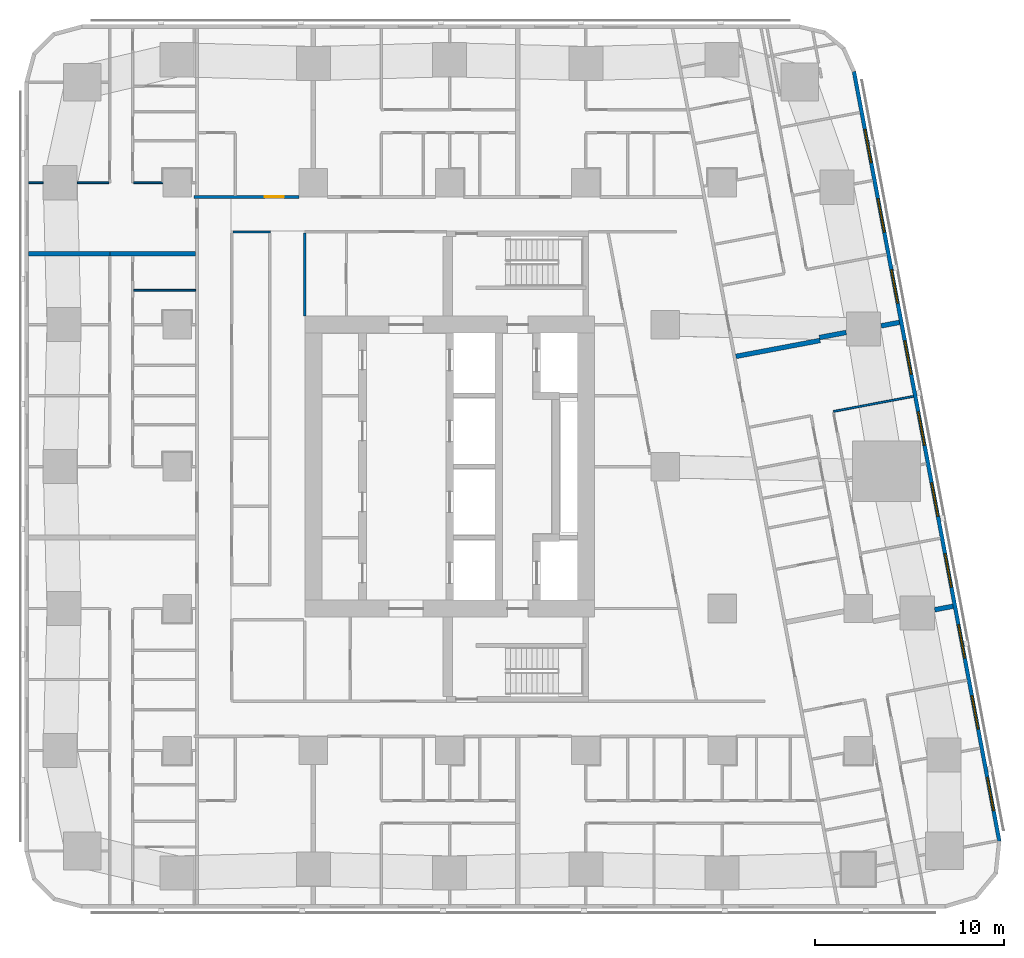
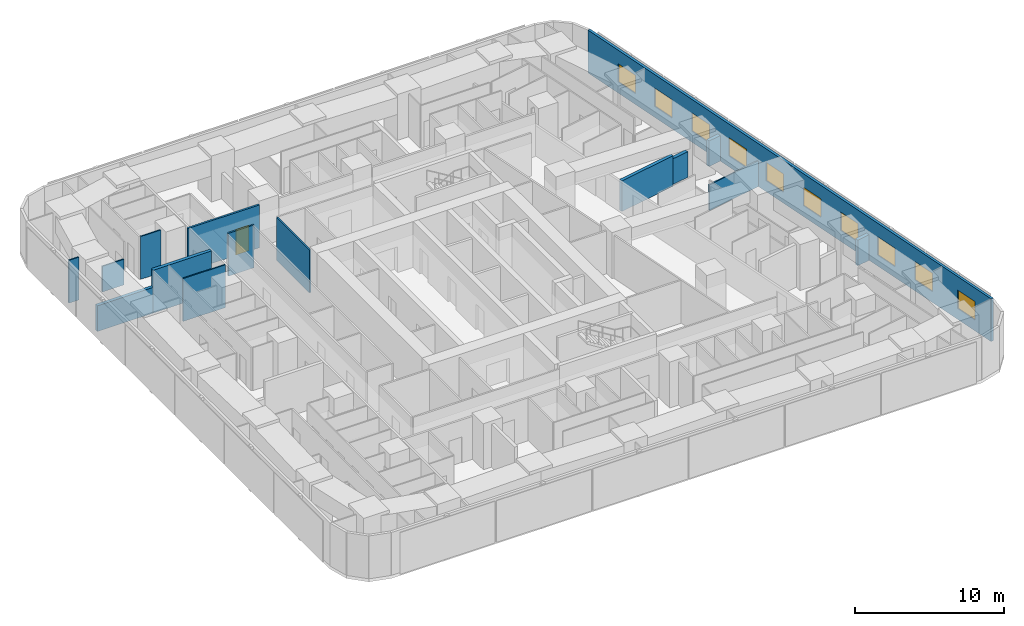
# One storey, part 8 of 15: 15 walls, 10 windows, 1 door, 11 openings.
"""IFC4 building model written with IfcOpenShell, lengths in metres."""

from ifc_helpers import new_model, si_unit, direction, frame, frame_2d, origin, place, context, subcontext, project, spatial, rectangle, extrude, material, layer, layer_set, type_object, element, fill, save


model = new_model("IFC4")

# Units and contexts
model_context = context("Model", 3, precision=1e-05, world=origin(), true_north=direction((0.0, 1.0)))
body_context = subcontext(model_context, "Body", "Model", "MODEL_VIEW")
ifc_project = project(units=[si_unit("LENGTHUNIT", "METRE"), si_unit("AREAUNIT", "SQUARE_METRE"), si_unit("VOLUMEUNIT", "CUBIC_METRE"), si_unit("PLANEANGLEUNIT", "RADIAN"), si_unit("MASSUNIT", "GRAM", prefix="KILO")], contexts=[model_context])

# Site, building, storey
site_placement = place(None, origin())
site = spatial("IfcSite", under=ifc_project, at=site_placement, CompositionType="ELEMENT")
building_placement = place(site_placement, origin())
building = spatial("IfcBuilding", under=site, at=building_placement, Name="Sheger Commons Tower", CompositionType="ELEMENT")
storey_placement = place(building_placement, frame((0.0, 0.0, 147.050048828125)))
storey = spatial("IfcBuildingStorey", under=building, at=storey_placement, Name="L37", CompositionType="ELEMENT", Elevation=147.050048828125)

# Wall, opening, door
ifc_material_1 = material(Name="Hollow concrete block masonry, skimmed both sides", Category="masonry")
ifc_layer_1 = layer(ifc_material_1, 0.14990234375)
ifc_layer_set_1 = layer_set([ifc_layer_1], Name="CORRIDOR WALL 150")
wall_type_1 = type_object("IfcWallType", Name="CORRIDOR WALL 150", PredefinedType="SOLIDWALL", material=ifc_layer_set_1)
wall_1_placement = place(storey_placement, frame((8.10009765625, 36.75, 0.0), z_axis=(0.0, 0.0, 1.0), x_axis=(1.0, 0.0, 0.0)))
wall_1 = element("IfcWall", 1, at=wall_1_placement, inside=storey, type_object=wall_type_1, Name="Corridor wall L37", PredefinedType="SOLIDWALL", context=body_context, shape_type="SweptSolid", body=[
    extrude(rectangle(XDim=5.548828125, YDim=0.14990234375, at=frame_2d((2.7744140625, 0.0))), origin(), (0.0, 0.0, 1.0), 3.5),
])
opening_1_placement = place(wall_1_placement, frame((3.739013671875, 0.0, 0.0)))
opening_1 = element("IfcOpeningElement", 2, at=opening_1_placement, cuts=wall_1, Name="Opening D1", PredefinedType="OPENING", context=body_context, shape_type="SweptSolid", body=[
    extrude(rectangle(XDim=1.0, YDim=2.10009765625, at=frame_2d((0.5, 1.050048828125))), frame((0.0, 0.0849609375, 0.0), z_axis=(0.0, -1.0, 0.0), x_axis=(1.0, 0.0, 0.0)), (0.0, 0.0, 1.0), 0.169921875),
])
ifc_material_2 = material(Name="Steel door set, fire rated", Category="steel")
door_type = type_object("IfcDoorType", Name="FLAT ENTRANCE DOOR 1000x2100", OperationType="NOTDEFINED", PredefinedType="DOOR", material=ifc_material_2)
door_placement = place(opening_1_placement, origin())
door = element("IfcDoor", 3, at=door_placement, inside=storey, type_object=door_type, Name="Flat entrance door", OperationType="SINGLE_SWING_RIGHT", OverallHeight=2.10009765625, OverallWidth=1.0, PredefinedType="DOOR", context=body_context, shape_type="SweptSolid", body=[
    extrude(rectangle(XDim=1.0, YDim=2.10009765625, at=frame_2d((0.5, 1.050048828125))), frame((0.0, 0.02490234375, 0.0), z_axis=(0.0, -1.0, 0.0), x_axis=(1.0, 0.0, 0.0)), (0.0, 0.0, 1.0), 0.050048828125),
])
fill(opening_1, door)

# Walls
ifc_material_3 = material(Name="Dense concrete block masonry, plastered both sides (separating wall between flats)", Category="masonry")
ifc_layer_2 = layer(ifc_material_3, 0.25)
ifc_layer_set_2 = layer_set([ifc_layer_2], Name="DEMISING WALL 250")
wall_type_2 = type_object("IfcWallType", Name="DEMISING WALL 250", PredefinedType="SOLIDWALL", material=ifc_layer_set_2)
wall_2_placement = place(storey_placement, frame((-0.64990234375, 33.75, 0.0), z_axis=(0.0, 0.0, 1.0), x_axis=(1.0, 0.0, 0.0)))
element("IfcWall", 4, at=wall_2_placement, inside=storey, type_object=wall_type_2, Name="Demising wall L37", PredefinedType="SOLIDWALL", context=body_context, shape_type="SweptSolid", body=[
    extrude(rectangle(XDim=4.2998046875, YDim=0.25, at=frame_2d((2.14990234375, 0.0))), origin(), (0.0, 0.0, 1.0), 2.099853515625),
])
wall_3_placement = place(storey_placement, frame((3.64990234375, 33.75, 0.0), z_axis=(0.0, 0.0, 1.0), x_axis=(1.0, 0.0, 0.0)))
element("IfcWall", 5, at=wall_3_placement, inside=storey, type_object=wall_type_2, Name="Demising wall L37", PredefinedType="SOLIDWALL", context=body_context, shape_type="SweptSolid", body=[
    extrude(rectangle(XDim=4.525146484375, YDim=0.25, at=frame_2d((2.2626953125, 0.0))), origin(), (0.0, 0.0, 1.0), 3.5),
])
wall_4_placement = place(storey_placement, frame((45.3720703125, 30.12109375, 0.0), z_axis=(0.0, 0.0, 1.0), x_axis=(-0.982576361834, -0.185859337043, 0.0)))
element("IfcWall", 6, at=wall_4_placement, inside=storey, type_object=wall_type_2, Name="Demising wall L37", PredefinedType="SOLIDWALL", context=body_context, shape_type="SweptSolid", body=[
    extrude(rectangle(XDim=0.985107421875, YDim=0.25, at=frame_2d((0.49267578125, 0.0))), origin(), (0.0, 0.0, 1.0), 2.099853515625),
])
wall_5_placement = place(storey_placement, frame((42.555908203125, 29.589111328125, 0.0), z_axis=(0.0, 0.0, 1.0), x_axis=(-0.982502104561, -0.18625148196, 0.0)))
element("IfcWall", 7, at=wall_5_placement, inside=storey, type_object=wall_type_2, Name="Demising wall L37", PredefinedType="SOLIDWALL", context=body_context, shape_type="SweptSolid", body=[
    extrude(rectangle(XDim=1.43408203125, YDim=0.25, at=frame_2d((0.717041015625, 0.0))), origin(), (0.0, 0.0, 1.0), 2.099853515625),
])
wall_6_placement = place(storey_placement, frame((41.177001953125, 29.1640625, 0.0), z_axis=(0.0, 0.0, 1.0), x_axis=(-0.982612837616, -0.185666398014, 0.0)))
element("IfcWall", 8, at=wall_6_placement, inside=storey, type_object=wall_type_2, Name="Demising wall L37", PredefinedType="SOLIDWALL", context=body_context, shape_type="SweptSolid", body=[
    extrude(rectangle(XDim=4.524658203125, YDim=0.25, at=frame_2d((2.26220703125, 0.0))), origin(), (0.0, 0.0, 1.0), 2.5),
])
wall_7_placement = place(storey_placement, frame((48.2060546875, 15.1201171875, 0.0), z_axis=(0.0, 0.0, 1.0), x_axis=(-0.982576361834, -0.185859337043, 0.0)))
element("IfcWall", 9, at=wall_7_placement, inside=storey, type_object=wall_type_2, Name="Demising wall L37", PredefinedType="SOLIDWALL", context=body_context, shape_type="SweptSolid", body=[
    extrude(rectangle(XDim=0.985107421875, YDim=0.25, at=frame_2d((0.49267578125, 0.0))), origin(), (0.0, 0.0, 1.0), 2.099853515625),
])

# Wall, openings, windows
ifc_material_4 = material(Name="Rendered concrete block masonry, dark grey", Category="masonry")
ifc_layer_3 = layer(ifc_material_4, 0.199951171875)
ifc_layer_set_3 = layer_set([ifc_layer_3], Name="FACADE WALL 200")
wall_type_3 = type_object("IfcWallType", Name="FACADE WALL 200", PredefinedType="SOLIDWALL", material=ifc_layer_set_3)
wall_8_placement = place(storey_placement, frame((50.653076171875, 2.702880859375, 0.0), z_axis=(0.0, 0.0, 1.0), x_axis=(-0.185612026696, 0.982623109613, 0.0)))
wall_8 = element("IfcWall", 10, at=wall_8_placement, inside=storey, type_object=wall_type_3, Name="Facade wall L37", PredefinedType="SOLIDWALL", context=body_context, shape_type="SweptSolid", body=[
    extrude(rectangle(XDim=41.393310546875, YDim=0.199951171875, at=frame_2d((20.69677734375, 0.0))), origin(), (0.0, 0.0, 1.0), 3.5),
])
opening_2_placement = place(wall_8_placement, frame((1.633056640625, 0.0, 0.89990234375)))
opening_2 = element("IfcOpeningElement", 11, at=opening_2_placement, cuts=wall_8, Name="Opening W2", PredefinedType="OPENING", context=body_context, shape_type="SweptSolid", body=[
    extrude(rectangle(XDim=1.800048828125, YDim=1.5, at=frame_2d((0.89990234375, 0.75))), frame((0.0, 0.10986328125, 0.0), z_axis=(0.0, -1.0, 0.0), x_axis=(1.0, 0.0, 0.0)), (0.0, 0.0, 1.0), 0.219970703125),
])
opening_3_placement = place(wall_8_placement, frame((6.031982421875, 0.0, 0.89990234375)))
opening_3 = element("IfcOpeningElement", 12, at=opening_3_placement, cuts=wall_8, Name="Opening W2", PredefinedType="OPENING", context=body_context, shape_type="SweptSolid", body=[
    extrude(rectangle(XDim=1.800048828125, YDim=1.5, at=frame_2d((0.89990234375, 0.75))), frame((0.0, 0.10986328125, 0.0), z_axis=(0.0, -1.0, 0.0), x_axis=(1.0, 0.0, 0.0)), (0.0, 0.0, 1.0), 0.219970703125),
])
opening_4_placement = place(wall_8_placement, frame((9.847900390625, 0.0, 0.89990234375)))
opening_4 = element("IfcOpeningElement", 13, at=opening_4_placement, cuts=wall_8, Name="Opening W2", PredefinedType="OPENING", context=body_context, shape_type="SweptSolid", body=[
    extrude(rectangle(XDim=1.800048828125, YDim=1.5, at=frame_2d((0.89990234375, 0.75))), frame((0.0, 0.10986328125, 0.0), z_axis=(0.0, -1.0, 0.0), x_axis=(1.0, 0.0, 0.0)), (0.0, 0.0, 1.0), 0.219970703125),
])
opening_5_placement = place(wall_8_placement, frame((13.6640625, 0.0, 0.89990234375)))
opening_5 = element("IfcOpeningElement", 14, at=opening_5_placement, cuts=wall_8, Name="Opening W2", PredefinedType="OPENING", context=body_context, shape_type="SweptSolid", body=[
    extrude(rectangle(XDim=1.800048828125, YDim=1.5, at=frame_2d((0.89990234375, 0.75))), frame((0.0, 0.10986328125, 0.0), z_axis=(0.0, -1.0, 0.0), x_axis=(1.0, 0.0, 0.0)), (0.0, 0.0, 1.0), 0.219970703125),
])
opening_6_placement = place(wall_8_placement, frame((17.48095703125, 0.0, 0.89990234375)))
opening_6 = element("IfcOpeningElement", 15, at=opening_6_placement, cuts=wall_8, Name="Opening W2", PredefinedType="OPENING", context=body_context, shape_type="SweptSolid", body=[
    extrude(rectangle(XDim=1.800048828125, YDim=1.5, at=frame_2d((0.89990234375, 0.75))), frame((0.0, 0.10986328125, 0.0), z_axis=(0.0, -1.0, 0.0), x_axis=(1.0, 0.0, 0.0)), (0.0, 0.0, 1.0), 0.219970703125),
])
opening_7_placement = place(wall_8_placement, frame((21.297119140625, 0.0, 0.89990234375)))
opening_7 = element("IfcOpeningElement", 16, at=opening_7_placement, cuts=wall_8, Name="Opening W2", PredefinedType="OPENING", context=body_context, shape_type="SweptSolid", body=[
    extrude(rectangle(XDim=1.800048828125, YDim=1.5, at=frame_2d((0.89990234375, 0.75))), frame((0.0, 0.10986328125, 0.0), z_axis=(0.0, -1.0, 0.0), x_axis=(1.0, 0.0, 0.0)), (0.0, 0.0, 1.0), 0.219970703125),
])
opening_8_placement = place(wall_8_placement, frame((25.113037109375, 0.0, 0.89990234375)))
opening_8 = element("IfcOpeningElement", 17, at=opening_8_placement, cuts=wall_8, Name="Opening W2", PredefinedType="OPENING", context=body_context, shape_type="SweptSolid", body=[
    extrude(rectangle(XDim=1.800048828125, YDim=1.5, at=frame_2d((0.89990234375, 0.75))), frame((0.0, 0.10986328125, 0.0), z_axis=(0.0, -1.0, 0.0), x_axis=(1.0, 0.0, 0.0)), (0.0, 0.0, 1.0), 0.219970703125),
])
opening_9_placement = place(wall_8_placement, frame((28.929931640625, 0.0, 0.89990234375)))
opening_9 = element("IfcOpeningElement", 18, at=opening_9_placement, cuts=wall_8, Name="Opening W2", PredefinedType="OPENING", context=body_context, shape_type="SweptSolid", body=[
    extrude(rectangle(XDim=1.800048828125, YDim=1.5, at=frame_2d((0.89990234375, 0.75))), frame((0.0, 0.10986328125, 0.0), z_axis=(0.0, -1.0, 0.0), x_axis=(1.0, 0.0, 0.0)), (0.0, 0.0, 1.0), 0.219970703125),
])
opening_10_placement = place(wall_8_placement, frame((32.74609375, 0.0, 0.89990234375)))
opening_10 = element("IfcOpeningElement", 19, at=opening_10_placement, cuts=wall_8, Name="Opening W2", PredefinedType="OPENING", context=body_context, shape_type="SweptSolid", body=[
    extrude(rectangle(XDim=1.800048828125, YDim=1.5, at=frame_2d((0.89990234375, 0.75))), frame((0.0, 0.10986328125, 0.0), z_axis=(0.0, -1.0, 0.0), x_axis=(1.0, 0.0, 0.0)), (0.0, 0.0, 1.0), 0.219970703125),
])
opening_11_placement = place(wall_8_placement, frame((36.48095703125, 0.0, 0.89990234375)))
opening_11 = element("IfcOpeningElement", 20, at=opening_11_placement, cuts=wall_8, Name="Opening W2", PredefinedType="OPENING", context=body_context, shape_type="SweptSolid", body=[
    extrude(rectangle(XDim=1.800048828125, YDim=1.5, at=frame_2d((0.89990234375, 0.75))), frame((0.0, 0.10986328125, 0.0), z_axis=(0.0, -1.0, 0.0), x_axis=(1.0, 0.0, 0.0)), (0.0, 0.0, 1.0), 0.219970703125),
])
ifc_material_5 = material(Name="Black aluminium frame, dark tinted double glazing", Category="aluminium")
window_type = type_object("IfcWindowType", Name="WINDOW W2 1800x1500", PartitioningType="SINGLE_PANEL", PredefinedType="WINDOW", material=ifc_material_5)
window_1_placement = place(opening_2_placement, origin())
window_1 = element("IfcWindow", 21, at=window_1_placement, inside=storey, type_object=window_type, Name="Window W2 1800X1500", OverallHeight=1.5, OverallWidth=1.800048828125, PartitioningType="SINGLE_PANEL", PredefinedType="WINDOW", context=body_context, shape_type="SweptSolid", body=[
    extrude(rectangle(XDim=1.800048828125, YDim=1.5, at=frame_2d((0.89990234375, 0.75))), frame((0.0, 0.030029296875, 0.0), z_axis=(0.0, -1.0, 0.0), x_axis=(1.0, 0.0, 0.0)), (0.0, 0.0, 1.0), 0.06005859375),
])
fill(opening_2, window_1)
window_2_placement = place(opening_3_placement, origin())
window_2 = element("IfcWindow", 22, at=window_2_placement, inside=storey, type_object=window_type, Name="Window W2 1800X1500", OverallHeight=1.5, OverallWidth=1.800048828125, PartitioningType="SINGLE_PANEL", PredefinedType="WINDOW", context=body_context, shape_type="SweptSolid", body=[
    extrude(rectangle(XDim=1.800048828125, YDim=1.5, at=frame_2d((0.89990234375, 0.75))), frame((0.0, 0.030029296875, 0.0), z_axis=(0.0, -1.0, 0.0), x_axis=(1.0, 0.0, 0.0)), (0.0, 0.0, 1.0), 0.06005859375),
])
fill(opening_3, window_2)
window_3_placement = place(opening_4_placement, origin())
window_3 = element("IfcWindow", 23, at=window_3_placement, inside=storey, type_object=window_type, Name="Window W2 1800X1500", OverallHeight=1.5, OverallWidth=1.800048828125, PartitioningType="SINGLE_PANEL", PredefinedType="WINDOW", context=body_context, shape_type="SweptSolid", body=[
    extrude(rectangle(XDim=1.800048828125, YDim=1.5, at=frame_2d((0.89990234375, 0.75))), frame((0.0, 0.030029296875, 0.0), z_axis=(0.0, -1.0, 0.0), x_axis=(1.0, 0.0, 0.0)), (0.0, 0.0, 1.0), 0.06005859375),
])
fill(opening_4, window_3)
window_4_placement = place(opening_5_placement, origin())
window_4 = element("IfcWindow", 24, at=window_4_placement, inside=storey, type_object=window_type, Name="Window W2 1800X1500", OverallHeight=1.5, OverallWidth=1.800048828125, PartitioningType="SINGLE_PANEL", PredefinedType="WINDOW", context=body_context, shape_type="SweptSolid", body=[
    extrude(rectangle(XDim=1.800048828125, YDim=1.5, at=frame_2d((0.89990234375, 0.75))), frame((0.0, 0.030029296875, 0.0), z_axis=(0.0, -1.0, 0.0), x_axis=(1.0, 0.0, 0.0)), (0.0, 0.0, 1.0), 0.06005859375),
])
fill(opening_5, window_4)
window_5_placement = place(opening_6_placement, origin())
window_5 = element("IfcWindow", 25, at=window_5_placement, inside=storey, type_object=window_type, Name="Window W2 1800X1500", OverallHeight=1.5, OverallWidth=1.800048828125, PartitioningType="SINGLE_PANEL", PredefinedType="WINDOW", context=body_context, shape_type="SweptSolid", body=[
    extrude(rectangle(XDim=1.800048828125, YDim=1.5, at=frame_2d((0.89990234375, 0.75))), frame((0.0, 0.030029296875, 0.0), z_axis=(0.0, -1.0, 0.0), x_axis=(1.0, 0.0, 0.0)), (0.0, 0.0, 1.0), 0.06005859375),
])
fill(opening_6, window_5)
window_6_placement = place(opening_7_placement, origin())
window_6 = element("IfcWindow", 26, at=window_6_placement, inside=storey, type_object=window_type, Name="Window W2 1800X1500", OverallHeight=1.5, OverallWidth=1.800048828125, PartitioningType="SINGLE_PANEL", PredefinedType="WINDOW", context=body_context, shape_type="SweptSolid", body=[
    extrude(rectangle(XDim=1.800048828125, YDim=1.5, at=frame_2d((0.89990234375, 0.75))), frame((0.0, 0.030029296875, 0.0), z_axis=(0.0, -1.0, 0.0), x_axis=(1.0, 0.0, 0.0)), (0.0, 0.0, 1.0), 0.06005859375),
])
fill(opening_7, window_6)
window_7_placement = place(opening_8_placement, origin())
window_7 = element("IfcWindow", 27, at=window_7_placement, inside=storey, type_object=window_type, Name="Window W2 1800X1500", OverallHeight=1.5, OverallWidth=1.800048828125, PartitioningType="SINGLE_PANEL", PredefinedType="WINDOW", context=body_context, shape_type="SweptSolid", body=[
    extrude(rectangle(XDim=1.800048828125, YDim=1.5, at=frame_2d((0.89990234375, 0.75))), frame((0.0, 0.030029296875, 0.0), z_axis=(0.0, -1.0, 0.0), x_axis=(1.0, 0.0, 0.0)), (0.0, 0.0, 1.0), 0.06005859375),
])
fill(opening_8, window_7)
window_8_placement = place(opening_9_placement, origin())
window_8 = element("IfcWindow", 28, at=window_8_placement, inside=storey, type_object=window_type, Name="Window W2 1800X1500", OverallHeight=1.5, OverallWidth=1.800048828125, PartitioningType="SINGLE_PANEL", PredefinedType="WINDOW", context=body_context, shape_type="SweptSolid", body=[
    extrude(rectangle(XDim=1.800048828125, YDim=1.5, at=frame_2d((0.89990234375, 0.75))), frame((0.0, 0.030029296875, 0.0), z_axis=(0.0, -1.0, 0.0), x_axis=(1.0, 0.0, 0.0)), (0.0, 0.0, 1.0), 0.06005859375),
])
fill(opening_9, window_8)
window_9_placement = place(opening_10_placement, origin())
window_9 = element("IfcWindow", 29, at=window_9_placement, inside=storey, type_object=window_type, Name="Window W2 1800X1500", OverallHeight=1.5, OverallWidth=1.800048828125, PartitioningType="SINGLE_PANEL", PredefinedType="WINDOW", context=body_context, shape_type="SweptSolid", body=[
    extrude(rectangle(XDim=1.800048828125, YDim=1.5, at=frame_2d((0.89990234375, 0.75))), frame((0.0, 0.030029296875, 0.0), z_axis=(0.0, -1.0, 0.0), x_axis=(1.0, 0.0, 0.0)), (0.0, 0.0, 1.0), 0.06005859375),
])
fill(opening_10, window_9)
window_10_placement = place(opening_11_placement, origin())
window_10 = element("IfcWindow", 30, at=window_10_placement, inside=storey, type_object=window_type, Name="Window W2 1800X1500", OverallHeight=1.5, OverallWidth=1.800048828125, PartitioningType="SINGLE_PANEL", PredefinedType="WINDOW", context=body_context, shape_type="SweptSolid", body=[
    extrude(rectangle(XDim=1.800048828125, YDim=1.5, at=frame_2d((0.89990234375, 0.75))), frame((0.0, 0.030029296875, 0.0), z_axis=(0.0, -1.0, 0.0), x_axis=(1.0, 0.0, 0.0)), (0.0, 0.0, 1.0), 0.06005859375),
])
fill(opening_11, window_10)

# Walls
ifc_material_6 = material(Name="Gypsum board on steel studs", Category="steel")
ifc_layer_4 = layer(ifc_material_6, 0.10009765625)
ifc_layer_set_4 = layer_set([ifc_layer_4], Name="PARTITION 100")
wall_type_4 = type_object("IfcWallType", Name="PARTITION 100", PredefinedType="PARTITIONING", material=ifc_layer_set_4)
wall_9_placement = place(storey_placement, frame((4.89990234375, 31.820068359375, 0.0), z_axis=(0.0, 0.0, 1.0), x_axis=(1.0, 0.0, 0.0)))
element("IfcWall", 31, at=wall_9_placement, inside=storey, type_object=wall_type_4, Name="Partition L37", PredefinedType="PARTITIONING", context=body_context, shape_type="SweptSolid", body=[
    extrude(rectangle(XDim=3.275146484375, YDim=0.10009765625, at=frame_2d((1.6376953125, 0.0))), origin(), (0.0, 0.0, 1.0), 3.5),
])
wall_10_placement = place(storey_placement, frame((-0.64990234375, 37.5, 0.0), z_axis=(0.0, 0.0, 1.0), x_axis=(1.0, 0.0, 0.0)))
element("IfcWall", 32, at=wall_10_placement, inside=storey, type_object=wall_type_4, Name="Partition L37", PredefinedType="PARTITIONING", context=body_context, shape_type="SweptSolid", body=[
    extrude(rectangle(XDim=0.77392578125, YDim=0.10009765625, at=frame_2d((0.386962890625, 0.0))), origin(), (0.0, 0.0, 1.0), 3.5),
])
wall_11_placement = place(storey_placement, frame((1.926025390625, 37.5, 0.0), z_axis=(0.0, 0.0, 1.0), x_axis=(1.0, 0.0, 0.0)))
element("IfcWall", 33, at=wall_11_placement, inside=storey, type_object=wall_type_4, Name="Partition L37", PredefinedType="PARTITIONING", context=body_context, shape_type="SweptSolid", body=[
    extrude(rectangle(XDim=1.674072265625, YDim=0.10009765625, at=frame_2d((0.8369140625, 0.0))), origin(), (0.0, 0.0, 1.0), 2.099853515625),
])
wall_12_placement = place(storey_placement, frame((4.89990234375, 37.5, 0.0), z_axis=(0.0, 0.0, 1.0), x_axis=(1.0, 0.0, 0.0)))
element("IfcWall", 34, at=wall_12_placement, inside=storey, type_object=wall_type_4, Name="Partition L37", PredefinedType="PARTITIONING", context=body_context, shape_type="SweptSolid", body=[
    extrude(rectangle(XDim=1.549072265625, YDim=0.10009765625, at=frame_2d((0.7744140625, 0.0))), origin(), (0.0, 0.0, 1.0), 3.5),
])
wall_13_placement = place(storey_placement, frame((46.110107421875, 26.212890625, 0.0), z_axis=(0.0, 0.0, 1.0), x_axis=(-0.982633535512, -0.185556823879, 0.0)))
element("IfcWall", 35, at=wall_13_placement, inside=storey, type_object=wall_type_4, Name="Partition L37", PredefinedType="PARTITIONING", context=body_context, shape_type="SweptSolid", body=[
    extrude(rectangle(XDim=4.2998046875, YDim=0.10009765625, at=frame_2d((2.14990234375, 0.0))), origin(), (0.0, 0.0, 1.0), 2.099853515625),
])
ifc_material_7 = material(Name="Gypsum board on steel studs, two layers each side, fire rated", Category="steel")
ifc_layer_5 = layer(ifc_material_7, 0.125)
ifc_layer_set_5 = layer_set([ifc_layer_5], Name="SERVICE WALL 125")
wall_type_5 = type_object("IfcWallType", Name="SERVICE WALL 125", PredefinedType="PARTITIONING", material=ifc_layer_set_5)
wall_14_placement = place(storey_placement, frame((13.949951171875, 30.449951171875, 0.0), z_axis=(0.0, 0.0, 1.0), x_axis=(0.0, 1.0, 0.0)))
element("IfcWall", 36, at=wall_14_placement, inside=storey, type_object=wall_type_5, Name="Service room wall L37", PredefinedType="PARTITIONING", context=body_context, shape_type="SweptSolid", body=[
    extrude(rectangle(XDim=4.386962890625, YDim=0.125, at=frame_2d((2.193359375, 0.0))), origin(), (0.0, 0.0, 1.0), 3.5),
])
wall_15_placement = place(storey_placement, frame((10.162109375, 34.89990234375, 0.0), z_axis=(0.0, 0.0, 1.0), x_axis=(1.0, 0.0, 0.0)))
element("IfcWall", 37, at=wall_15_placement, inside=storey, type_object=wall_type_5, Name="Service room wall L37", PredefinedType="PARTITIONING", context=body_context, shape_type="SweptSolid", body=[
    extrude(rectangle(XDim=1.98779296875, YDim=0.125, at=frame_2d((0.993896484375, 0.0))), origin(), (0.0, 0.0, 1.0), 3.5),
])

save(model, "model.ifc")
